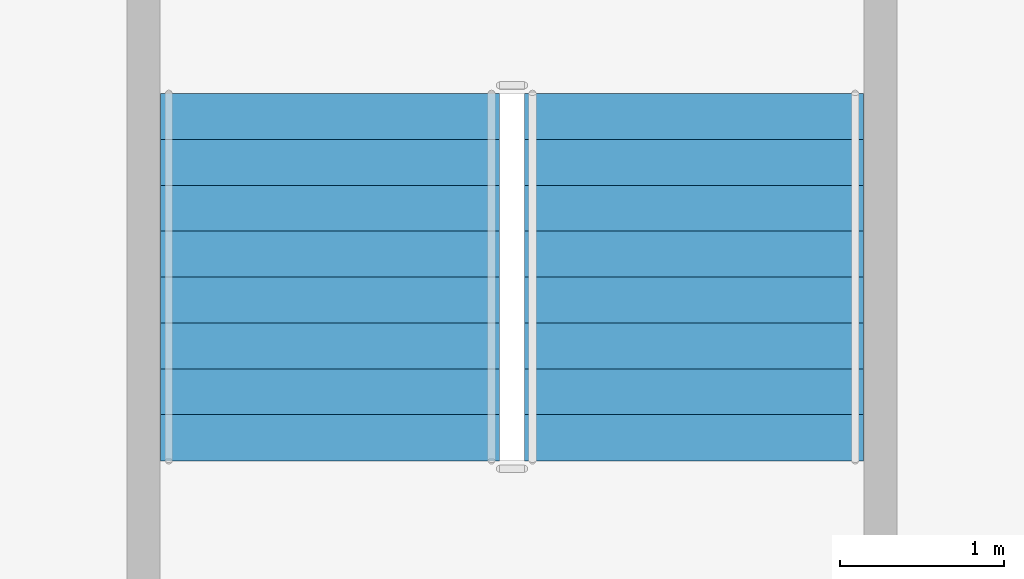
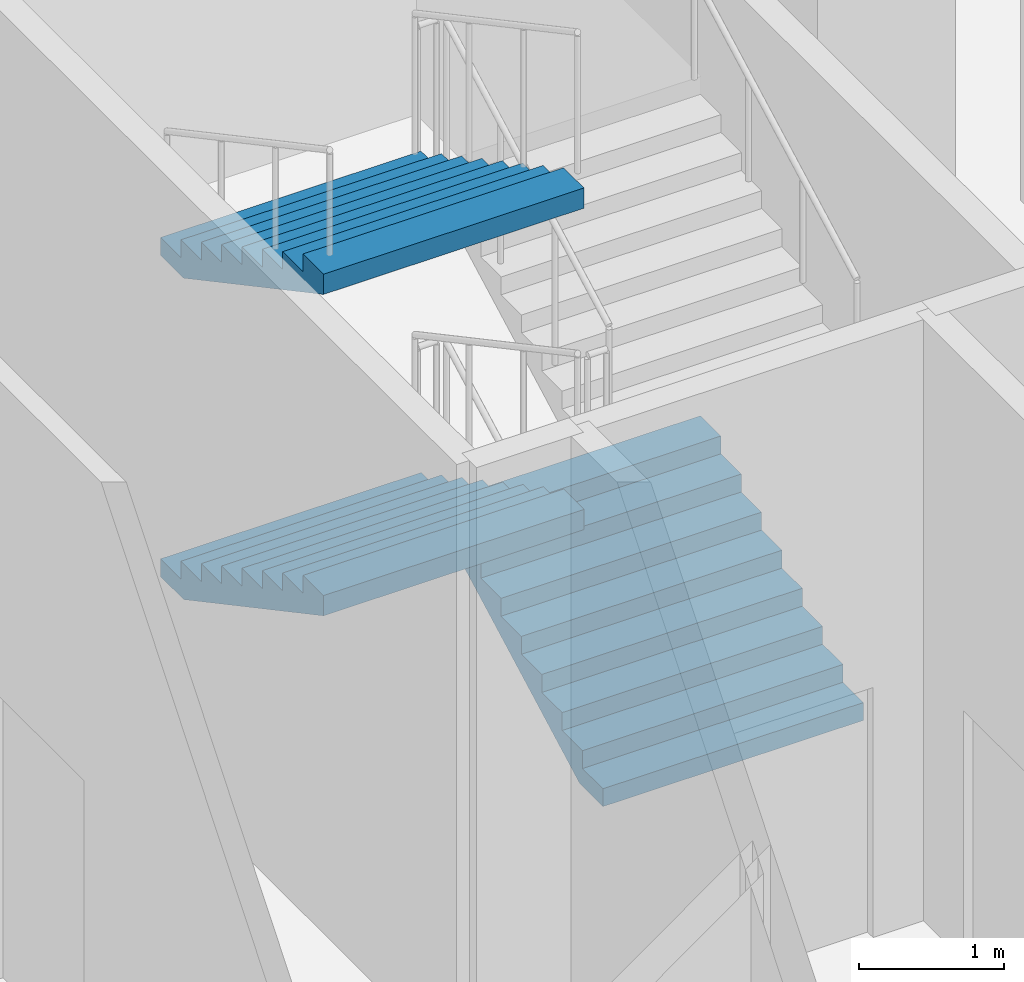
# One storey, part 9 of 26: 3 stair flights, 1 element without a shape of its own.
"""IFC4 building model written with IfcOpenShell, lengths in metres."""

from ifc_helpers import new_model, si_unit, direction, frame, origin, place, context, subcontext, project, spatial, polygons, material, type_object, element, aggregate, save


model = new_model("IFC4")

# Units and contexts
model_context = context("Model", 3, precision=1e-05, world=origin(), true_north=direction((0.0, 1.0)))
body_context = subcontext(model_context, "Body", "Model", "MODEL_VIEW")
ifc_project = project(units=[si_unit("LENGTHUNIT", "METRE"), si_unit("AREAUNIT", "SQUARE_METRE"), si_unit("VOLUMEUNIT", "CUBIC_METRE"), si_unit("PLANEANGLEUNIT", "RADIAN"), si_unit("MASSUNIT", "GRAM", prefix="KILO")], contexts=[model_context])

# Site, building, storey
site_placement = place(None, origin())
site = spatial("IfcSite", under=ifc_project, at=site_placement, CompositionType="ELEMENT")
building_placement = place(site_placement, origin())
building = spatial("IfcBuilding", under=site, at=building_placement, Name="Caravel Reach Hotel and Residences", CompositionType="ELEMENT")
storey_placement = place(building_placement, frame((0.0, 0.0, 12.0)))
storey = spatial("IfcBuildingStorey", under=building, at=storey_placement, Name="L02", CompositionType="ELEMENT", Elevation=12.0)

# Stair, stair flights
ifc_material_1 = material(Name="Concrete C40", Category="concrete")
stair_type = type_object("IfcStairType", Name="Core stair", PredefinedType="HALF_TURN_STAIR", material=ifc_material_1)
stair_placement = place(storey_placement, origin())
stair = element("IfcStair", 1, at=stair_placement, inside=storey, type_object=stair_type, Name="L02 Exit stair P3", PredefinedType="HALF_TURN_STAIR")
ifc_material_2 = material(Name="Concrete C40", Category="concrete")
stair_flight_type = type_object("IfcStairFlightType", Name="Core stair flight", PredefinedType="STRAIGHT", material=ifc_material_2)
stair_flight_1_placement = place(storey_placement, frame((10.110107421875, 13.68994140625, 0.0), z_axis=(0.0, 0.0, 1.0), x_axis=(0.0, 1.0, 0.0)))
stair_flight_1 = element("IfcStairFlight", 2, at=stair_flight_1_placement, type_object=stair_flight_type, Name="ST-P3 flight 1", NumberOfRisers=9, NumberOfTreads=8, PredefinedType="STRAIGHT", RiserHeight=0.15, TreadLength=0.28, context=body_context, shape_type="Tessellation", body=[
    polygons([(0.3174408016601864, 1.0350341796875, 0.0), (0.3174408016601864, 0.6900227864583333, 0.0), (0.3174408016601864, 0.34501139322916663, 0.0), (0.3174408016601864, 0.0, 0.0), (0.3174408016601864, -0.34501139322916674, 0.0), (0.3174408016601864, -0.6900227864583333, 0.0), (0.3174408016601864, -1.0350341796875, 0.0), (2.241, 1.0350341796875, 1.029942427682043), (2.241, 0.6900227864583333, 1.029942427682043), (2.241, 0.34501139322916663, 1.029942427682043), (2.241, 0.0, 1.029942427682043), (2.241, -0.34501139322916674, 1.029942427682043), (2.241, -0.6900227864583333, 1.029942427682043), (2.241, -1.0350341796875, 1.029942427682043), (2.241, 1.0350341796875, 1.2), (2.241, 0.6900227864583333, 1.2), (2.241, 0.34501139322916663, 1.2), (2.241, 0.0, 1.2), (2.241, -0.34501139322916674, 1.2), (2.241, -0.6900227864583333, 1.2), (2.241, -1.0350341796875, 1.2), (1.9600000000000002, 1.0350341796875, 1.2), (1.9600000000000002, 0.6900227864583333, 1.2), (1.9600000000000002, 0.34501139322916663, 1.2), (1.9600000000000002, 0.0, 1.2), (1.9600000000000002, -0.34501139322916674, 1.2), (1.9600000000000002, -0.6900227864583333, 1.2), (1.9600000000000002, -1.0350341796875, 1.2), (1.9600000000000002, 1.0350341796875, 1.05), (1.9600000000000002, 0.6900227864583333, 1.05), (1.9600000000000002, 0.34501139322916663, 1.05), (1.9600000000000002, 0.0, 1.05), (1.9600000000000002, -0.34501139322916674, 1.05), (1.9600000000000002, -0.6900227864583333, 1.05), (1.9600000000000002, -1.0350341796875, 1.05), (1.6800000000000002, 1.0350341796875, 1.05), (1.6800000000000002, 0.6900227864583333, 1.05), (1.6800000000000002, 0.34501139322916663, 1.05), (1.6800000000000002, 0.0, 1.05), (1.6800000000000002, -0.34501139322916674, 1.05), (1.6800000000000002, -0.6900227864583333, 1.05), (1.6800000000000002, -1.0350341796875, 1.05), (1.6800000000000002, 1.0350341796875, 0.8999999999999999), (1.6800000000000002, 0.6900227864583333, 0.8999999999999999), (1.6800000000000002, 0.34501139322916663, 0.8999999999999999), (1.6800000000000002, 0.0, 0.8999999999999999), (1.6800000000000002, -0.34501139322916674, 0.8999999999999999), (1.6800000000000002, -0.6900227864583333, 0.8999999999999999), (1.6800000000000002, -1.0350341796875, 0.8999999999999999), (1.4000000000000001, 1.0350341796875, 0.8999999999999999), (1.4000000000000001, 0.6900227864583333, 0.8999999999999999), (1.4000000000000001, 0.34501139322916663, 0.8999999999999999), (1.4000000000000001, 0.0, 0.8999999999999999), (1.4000000000000001, -0.34501139322916674, 0.8999999999999999), (1.4000000000000001, -0.6900227864583333, 0.8999999999999999), (1.4000000000000001, -1.0350341796875, 0.8999999999999999), (1.4000000000000001, 1.0350341796875, 0.75), (1.4000000000000001, 0.6900227864583333, 0.75), (1.4000000000000001, 0.34501139322916663, 0.75), (1.4000000000000001, 0.0, 0.75), (1.4000000000000001, -0.34501139322916674, 0.75), (1.4000000000000001, -0.6900227864583333, 0.75), (1.4000000000000001, -1.0350341796875, 0.75), (1.12, 1.0350341796875, 0.75), (1.12, 0.6900227864583333, 0.75), (1.12, 0.34501139322916663, 0.75), (1.12, 0.0, 0.75), (1.12, -0.34501139322916674, 0.75), (1.12, -0.6900227864583333, 0.75), (1.12, -1.0350341796875, 0.75), (1.12, 1.0350341796875, 0.6), (1.12, 0.6900227864583333, 0.6), (1.12, 0.34501139322916663, 0.6), (1.12, 0.0, 0.6), (1.12, -0.34501139322916674, 0.6), (1.12, -0.6900227864583333, 0.6), (1.12, -1.0350341796875, 0.6), (0.8400000000000001, 1.0350341796875, 0.6), (0.8400000000000001, 0.6900227864583333, 0.6), (0.8400000000000001, 0.34501139322916663, 0.6), (0.8400000000000001, 0.0, 0.6), (0.8400000000000001, -0.34501139322916674, 0.6), (0.8400000000000001, -0.6900227864583333, 0.6), (0.8400000000000001, -1.0350341796875, 0.6), (0.8400000000000001, 1.0350341796875, 0.44999999999999996), (0.8400000000000001, 0.6900227864583333, 0.44999999999999996), (0.8400000000000001, 0.34501139322916663, 0.44999999999999996), (0.8400000000000001, 0.0, 0.44999999999999996), (0.8400000000000001, -0.34501139322916674, 0.44999999999999996), (0.8400000000000001, -0.6900227864583333, 0.44999999999999996), (0.8400000000000001, -1.0350341796875, 0.44999999999999996), (0.56, 1.0350341796875, 0.44999999999999996), (0.56, 0.6900227864583333, 0.44999999999999996), (0.56, 0.34501139322916663, 0.44999999999999996), (0.56, 0.0, 0.44999999999999996), (0.56, -0.34501139322916674, 0.44999999999999996), (0.56, -0.6900227864583333, 0.44999999999999996), (0.56, -1.0350341796875, 0.44999999999999996), (0.56, 1.0350341796875, 0.3), (0.56, 0.6900227864583333, 0.3), (0.56, 0.34501139322916663, 0.3), (0.56, 0.0, 0.3), (0.56, -0.34501139322916674, 0.3), (0.56, -0.6900227864583333, 0.3), (0.56, -1.0350341796875, 0.3), (0.28, 1.0350341796875, 0.3), (0.28, 0.6900227864583333, 0.3), (0.28, 0.34501139322916663, 0.3), (0.28, 0.0, 0.3), (0.28, -0.34501139322916674, 0.3), (0.28, -0.6900227864583333, 0.3), (0.28, -1.0350341796875, 0.3), (0.28, 1.0350341796875, 0.15), (0.28, 0.6900227864583333, 0.15), (0.28, 0.34501139322916663, 0.15), (0.28, 0.0, 0.15), (0.28, -0.34501139322916674, 0.15), (0.28, -0.6900227864583333, 0.15), (0.28, -1.0350341796875, 0.15), (-0.001, 1.0350341796875, 0.15), (-0.001, 0.6900227864583333, 0.15), (-0.001, 0.34501139322916663, 0.15), (-0.001, 0.0, 0.15), (-0.001, -0.34501139322916674, 0.15), (-0.001, -0.6900227864583333, 0.15), (-0.001, -1.0350341796875, 0.15), (-0.001, 1.0350341796875, 0.0), (-0.001, 0.6900227864583333, 0.0), (-0.001, 0.34501139322916663, 0.0), (-0.001, 0.0, 0.0), (-0.001, -0.34501139322916674, 0.0), (-0.001, -0.6900227864583333, 0.0), (-0.001, -1.0350341796875, 0.0)], [[[127, 120, 113, 106, 99, 92, 85, 78, 71, 64, 57, 50, 43, 36, 29, 22, 15, 8, 1]], [[7, 14, 21, 28, 35, 42, 49, 56, 63, 70, 77, 84, 91, 98, 105, 112, 119, 126, 133]], [[1, 8, 9, 2]], [[2, 9, 10, 3]], [[3, 10, 11, 4]], [[4, 11, 12, 5]], [[5, 12, 13, 6]], [[6, 13, 14, 7]], [[8, 15, 16, 9]], [[9, 16, 17, 10]], [[10, 17, 18, 11]], [[11, 18, 19, 12]], [[12, 19, 20, 13]], [[13, 20, 21, 14]], [[15, 22, 23, 16]], [[16, 23, 24, 17]], [[17, 24, 25, 18]], [[18, 25, 26, 19]], [[19, 26, 27, 20]], [[20, 27, 28, 21]], [[22, 29, 30, 23]], [[23, 30, 31, 24]], [[24, 31, 32, 25]], [[25, 32, 33, 26]], [[26, 33, 34, 27]], [[27, 34, 35, 28]], [[29, 36, 37, 30]], [[30, 37, 38, 31]], [[31, 38, 39, 32]], [[32, 39, 40, 33]], [[33, 40, 41, 34]], [[34, 41, 42, 35]], [[36, 43, 44, 37]], [[37, 44, 45, 38]], [[38, 45, 46, 39]], [[39, 46, 47, 40]], [[40, 47, 48, 41]], [[41, 48, 49, 42]], [[43, 50, 51, 44]], [[44, 51, 52, 45]], [[45, 52, 53, 46]], [[46, 53, 54, 47]], [[47, 54, 55, 48]], [[48, 55, 56, 49]], [[50, 57, 58, 51]], [[51, 58, 59, 52]], [[52, 59, 60, 53]], [[53, 60, 61, 54]], [[54, 61, 62, 55]], [[55, 62, 63, 56]], [[57, 64, 65, 58]], [[58, 65, 66, 59]], [[59, 66, 67, 60]], [[60, 67, 68, 61]], [[61, 68, 69, 62]], [[62, 69, 70, 63]], [[64, 71, 72, 65]], [[65, 72, 73, 66]], [[66, 73, 74, 67]], [[67, 74, 75, 68]], [[68, 75, 76, 69]], [[69, 76, 77, 70]], [[71, 78, 79, 72]], [[72, 79, 80, 73]], [[73, 80, 81, 74]], [[74, 81, 82, 75]], [[75, 82, 83, 76]], [[76, 83, 84, 77]], [[78, 85, 86, 79]], [[79, 86, 87, 80]], [[80, 87, 88, 81]], [[81, 88, 89, 82]], [[82, 89, 90, 83]], [[83, 90, 91, 84]], [[85, 92, 93, 86]], [[86, 93, 94, 87]], [[87, 94, 95, 88]], [[88, 95, 96, 89]], [[89, 96, 97, 90]], [[90, 97, 98, 91]], [[92, 99, 100, 93]], [[93, 100, 101, 94]], [[94, 101, 102, 95]], [[95, 102, 103, 96]], [[96, 103, 104, 97]], [[97, 104, 105, 98]], [[99, 106, 107, 100]], [[100, 107, 108, 101]], [[101, 108, 109, 102]], [[102, 109, 110, 103]], [[103, 110, 111, 104]], [[104, 111, 112, 105]], [[106, 113, 114, 107]], [[107, 114, 115, 108]], [[108, 115, 116, 109]], [[109, 116, 117, 110]], [[110, 117, 118, 111]], [[111, 118, 119, 112]], [[113, 120, 121, 114]], [[114, 121, 122, 115]], [[115, 122, 123, 116]], [[116, 123, 124, 117]], [[117, 124, 125, 118]], [[118, 125, 126, 119]], [[120, 127, 128, 121]], [[121, 128, 129, 122]], [[122, 129, 130, 123]], [[123, 130, 131, 124]], [[124, 131, 132, 125]], [[125, 132, 133, 126]], [[127, 1, 2, 128]], [[128, 2, 3, 129]], [[129, 3, 4, 130]], [[130, 4, 5, 131]], [[131, 5, 6, 132]], [[132, 6, 7, 133]]], closed=True),
])
stair_flight_2_placement = place(storey_placement, frame((7.889892578125, 15.929931640625, 1.35009765625), z_axis=(0.0, 0.0, 1.0), x_axis=(0.0, -1.0, 0.0)))
stair_flight_2 = element("IfcStairFlight", 3, at=stair_flight_2_placement, type_object=stair_flight_type, Name="ST-P3 flight 2", NumberOfRisers=9, NumberOfTreads=8, PredefinedType="STRAIGHT", RiserHeight=0.15, TreadLength=0.28, context=body_context, shape_type="Tessellation", body=[
    polygons([(0.3174408016601864, 1.0350341796875, 0.0), (0.3174408016601864, 0.6900227864583333, 0.0), (0.3174408016601864, 0.34501139322916663, 0.0), (0.3174408016601864, 0.0, 0.0), (0.3174408016601864, -0.34501139322916674, 0.0), (0.3174408016601864, -0.6900227864583333, 0.0), (0.3174408016601864, -1.0350341796875, 0.0), (2.241, 1.0350341796875, 1.029942427682043), (2.241, 0.6900227864583333, 1.029942427682043), (2.241, 0.34501139322916663, 1.029942427682043), (2.241, 0.0, 1.029942427682043), (2.241, -0.34501139322916674, 1.029942427682043), (2.241, -0.6900227864583333, 1.029942427682043), (2.241, -1.0350341796875, 1.029942427682043), (2.241, 1.0350341796875, 1.2), (2.241, 0.6900227864583333, 1.2), (2.241, 0.34501139322916663, 1.2), (2.241, 0.0, 1.2), (2.241, -0.34501139322916674, 1.2), (2.241, -0.6900227864583333, 1.2), (2.241, -1.0350341796875, 1.2), (1.9600000000000002, 1.0350341796875, 1.2), (1.9600000000000002, 0.6900227864583333, 1.2), (1.9600000000000002, 0.34501139322916663, 1.2), (1.9600000000000002, 0.0, 1.2), (1.9600000000000002, -0.34501139322916674, 1.2), (1.9600000000000002, -0.6900227864583333, 1.2), (1.9600000000000002, -1.0350341796875, 1.2), (1.9600000000000002, 1.0350341796875, 1.05), (1.9600000000000002, 0.6900227864583333, 1.05), (1.9600000000000002, 0.34501139322916663, 1.05), (1.9600000000000002, 0.0, 1.05), (1.9600000000000002, -0.34501139322916674, 1.05), (1.9600000000000002, -0.6900227864583333, 1.05), (1.9600000000000002, -1.0350341796875, 1.05), (1.6800000000000002, 1.0350341796875, 1.05), (1.6800000000000002, 0.6900227864583333, 1.05), (1.6800000000000002, 0.34501139322916663, 1.05), (1.6800000000000002, 0.0, 1.05), (1.6800000000000002, -0.34501139322916674, 1.05), (1.6800000000000002, -0.6900227864583333, 1.05), (1.6800000000000002, -1.0350341796875, 1.05), (1.6800000000000002, 1.0350341796875, 0.8999999999999999), (1.6800000000000002, 0.6900227864583333, 0.8999999999999999), (1.6800000000000002, 0.34501139322916663, 0.8999999999999999), (1.6800000000000002, 0.0, 0.8999999999999999), (1.6800000000000002, -0.34501139322916674, 0.8999999999999999), (1.6800000000000002, -0.6900227864583333, 0.8999999999999999), (1.6800000000000002, -1.0350341796875, 0.8999999999999999), (1.4000000000000001, 1.0350341796875, 0.8999999999999999), (1.4000000000000001, 0.6900227864583333, 0.8999999999999999), (1.4000000000000001, 0.34501139322916663, 0.8999999999999999), (1.4000000000000001, 0.0, 0.8999999999999999), (1.4000000000000001, -0.34501139322916674, 0.8999999999999999), (1.4000000000000001, -0.6900227864583333, 0.8999999999999999), (1.4000000000000001, -1.0350341796875, 0.8999999999999999), (1.4000000000000001, 1.0350341796875, 0.75), (1.4000000000000001, 0.6900227864583333, 0.75), (1.4000000000000001, 0.34501139322916663, 0.75), (1.4000000000000001, 0.0, 0.75), (1.4000000000000001, -0.34501139322916674, 0.75), (1.4000000000000001, -0.6900227864583333, 0.75), (1.4000000000000001, -1.0350341796875, 0.75), (1.12, 1.0350341796875, 0.75), (1.12, 0.6900227864583333, 0.75), (1.12, 0.34501139322916663, 0.75), (1.12, 0.0, 0.75), (1.12, -0.34501139322916674, 0.75), (1.12, -0.6900227864583333, 0.75), (1.12, -1.0350341796875, 0.75), (1.12, 1.0350341796875, 0.6), (1.12, 0.6900227864583333, 0.6), (1.12, 0.34501139322916663, 0.6), (1.12, 0.0, 0.6), (1.12, -0.34501139322916674, 0.6), (1.12, -0.6900227864583333, 0.6), (1.12, -1.0350341796875, 0.6), (0.8400000000000001, 1.0350341796875, 0.6), (0.8400000000000001, 0.6900227864583333, 0.6), (0.8400000000000001, 0.34501139322916663, 0.6), (0.8400000000000001, 0.0, 0.6), (0.8400000000000001, -0.34501139322916674, 0.6), (0.8400000000000001, -0.6900227864583333, 0.6), (0.8400000000000001, -1.0350341796875, 0.6), (0.8400000000000001, 1.0350341796875, 0.44999999999999996), (0.8400000000000001, 0.6900227864583333, 0.44999999999999996), (0.8400000000000001, 0.34501139322916663, 0.44999999999999996), (0.8400000000000001, 0.0, 0.44999999999999996), (0.8400000000000001, -0.34501139322916674, 0.44999999999999996), (0.8400000000000001, -0.6900227864583333, 0.44999999999999996), (0.8400000000000001, -1.0350341796875, 0.44999999999999996), (0.56, 1.0350341796875, 0.44999999999999996), (0.56, 0.6900227864583333, 0.44999999999999996), (0.56, 0.34501139322916663, 0.44999999999999996), (0.56, 0.0, 0.44999999999999996), (0.56, -0.34501139322916674, 0.44999999999999996), (0.56, -0.6900227864583333, 0.44999999999999996), (0.56, -1.0350341796875, 0.44999999999999996), (0.56, 1.0350341796875, 0.3), (0.56, 0.6900227864583333, 0.3), (0.56, 0.34501139322916663, 0.3), (0.56, 0.0, 0.3), (0.56, -0.34501139322916674, 0.3), (0.56, -0.6900227864583333, 0.3), (0.56, -1.0350341796875, 0.3), (0.28, 1.0350341796875, 0.3), (0.28, 0.6900227864583333, 0.3), (0.28, 0.34501139322916663, 0.3), (0.28, 0.0, 0.3), (0.28, -0.34501139322916674, 0.3), (0.28, -0.6900227864583333, 0.3), (0.28, -1.0350341796875, 0.3), (0.28, 1.0350341796875, 0.15), (0.28, 0.6900227864583333, 0.15), (0.28, 0.34501139322916663, 0.15), (0.28, 0.0, 0.15), (0.28, -0.34501139322916674, 0.15), (0.28, -0.6900227864583333, 0.15), (0.28, -1.0350341796875, 0.15), (-0.001, 1.0350341796875, 0.15), (-0.001, 0.6900227864583333, 0.15), (-0.001, 0.34501139322916663, 0.15), (-0.001, 0.0, 0.15), (-0.001, -0.34501139322916674, 0.15), (-0.001, -0.6900227864583333, 0.15), (-0.001, -1.0350341796875, 0.15), (-0.001, 1.0350341796875, 0.0), (-0.001, 0.6900227864583333, 0.0), (-0.001, 0.34501139322916663, 0.0), (-0.001, 0.0, 0.0), (-0.001, -0.34501139322916674, 0.0), (-0.001, -0.6900227864583333, 0.0), (-0.001, -1.0350341796875, 0.0)], [[[127, 120, 113, 106, 99, 92, 85, 78, 71, 64, 57, 50, 43, 36, 29, 22, 15, 8, 1]], [[7, 14, 21, 28, 35, 42, 49, 56, 63, 70, 77, 84, 91, 98, 105, 112, 119, 126, 133]], [[1, 8, 9, 2]], [[2, 9, 10, 3]], [[3, 10, 11, 4]], [[4, 11, 12, 5]], [[5, 12, 13, 6]], [[6, 13, 14, 7]], [[8, 15, 16, 9]], [[9, 16, 17, 10]], [[10, 17, 18, 11]], [[11, 18, 19, 12]], [[12, 19, 20, 13]], [[13, 20, 21, 14]], [[15, 22, 23, 16]], [[16, 23, 24, 17]], [[17, 24, 25, 18]], [[18, 25, 26, 19]], [[19, 26, 27, 20]], [[20, 27, 28, 21]], [[22, 29, 30, 23]], [[23, 30, 31, 24]], [[24, 31, 32, 25]], [[25, 32, 33, 26]], [[26, 33, 34, 27]], [[27, 34, 35, 28]], [[29, 36, 37, 30]], [[30, 37, 38, 31]], [[31, 38, 39, 32]], [[32, 39, 40, 33]], [[33, 40, 41, 34]], [[34, 41, 42, 35]], [[36, 43, 44, 37]], [[37, 44, 45, 38]], [[38, 45, 46, 39]], [[39, 46, 47, 40]], [[40, 47, 48, 41]], [[41, 48, 49, 42]], [[43, 50, 51, 44]], [[44, 51, 52, 45]], [[45, 52, 53, 46]], [[46, 53, 54, 47]], [[47, 54, 55, 48]], [[48, 55, 56, 49]], [[50, 57, 58, 51]], [[51, 58, 59, 52]], [[52, 59, 60, 53]], [[53, 60, 61, 54]], [[54, 61, 62, 55]], [[55, 62, 63, 56]], [[57, 64, 65, 58]], [[58, 65, 66, 59]], [[59, 66, 67, 60]], [[60, 67, 68, 61]], [[61, 68, 69, 62]], [[62, 69, 70, 63]], [[64, 71, 72, 65]], [[65, 72, 73, 66]], [[66, 73, 74, 67]], [[67, 74, 75, 68]], [[68, 75, 76, 69]], [[69, 76, 77, 70]], [[71, 78, 79, 72]], [[72, 79, 80, 73]], [[73, 80, 81, 74]], [[74, 81, 82, 75]], [[75, 82, 83, 76]], [[76, 83, 84, 77]], [[78, 85, 86, 79]], [[79, 86, 87, 80]], [[80, 87, 88, 81]], [[81, 88, 89, 82]], [[82, 89, 90, 83]], [[83, 90, 91, 84]], [[85, 92, 93, 86]], [[86, 93, 94, 87]], [[87, 94, 95, 88]], [[88, 95, 96, 89]], [[89, 96, 97, 90]], [[90, 97, 98, 91]], [[92, 99, 100, 93]], [[93, 100, 101, 94]], [[94, 101, 102, 95]], [[95, 102, 103, 96]], [[96, 103, 104, 97]], [[97, 104, 105, 98]], [[99, 106, 107, 100]], [[100, 107, 108, 101]], [[101, 108, 109, 102]], [[102, 109, 110, 103]], [[103, 110, 111, 104]], [[104, 111, 112, 105]], [[106, 113, 114, 107]], [[107, 114, 115, 108]], [[108, 115, 116, 109]], [[109, 116, 117, 110]], [[110, 117, 118, 111]], [[111, 118, 119, 112]], [[113, 120, 121, 114]], [[114, 121, 122, 115]], [[115, 122, 123, 116]], [[116, 123, 124, 117]], [[117, 124, 125, 118]], [[118, 125, 126, 119]], [[120, 127, 128, 121]], [[121, 128, 129, 122]], [[122, 129, 130, 123]], [[123, 130, 131, 124]], [[124, 131, 132, 125]], [[125, 132, 133, 126]], [[127, 1, 2, 128]], [[128, 2, 3, 129]], [[129, 3, 4, 130]], [[130, 4, 5, 131]], [[131, 5, 6, 132]], [[132, 6, 7, 133]]], closed=True),
])
stair_flight_3_placement = place(storey_placement, frame((7.889892578125, 15.929931640625, 4.050048828125), z_axis=(0.0, 0.0, 1.0), x_axis=(0.0, -1.0, 0.0)))
stair_flight_3 = element("IfcStairFlight", 4, at=stair_flight_3_placement, type_object=stair_flight_type, Name="ST-P3 flight 4", NumberOfRisers=9, NumberOfTreads=8, PredefinedType="STRAIGHT", RiserHeight=0.15, TreadLength=0.28, context=body_context, shape_type="Tessellation", body=[
    polygons([(0.3174408016601864, 1.0350341796875, 0.0), (0.3174408016601864, 0.6900227864583333, 0.0), (0.3174408016601864, 0.34501139322916663, 0.0), (0.3174408016601864, 0.0, 0.0), (0.3174408016601864, -0.34501139322916674, 0.0), (0.3174408016601864, -0.6900227864583333, 0.0), (0.3174408016601864, -1.0350341796875, 0.0), (2.241, 1.0350341796875, 1.029942427682043), (2.241, 0.6900227864583333, 1.029942427682043), (2.241, 0.34501139322916663, 1.029942427682043), (2.241, 0.0, 1.029942427682043), (2.241, -0.34501139322916674, 1.029942427682043), (2.241, -0.6900227864583333, 1.029942427682043), (2.241, -1.0350341796875, 1.029942427682043), (2.241, 1.0350341796875, 1.2), (2.241, 0.6900227864583333, 1.2), (2.241, 0.34501139322916663, 1.2), (2.241, 0.0, 1.2), (2.241, -0.34501139322916674, 1.2), (2.241, -0.6900227864583333, 1.2), (2.241, -1.0350341796875, 1.2), (1.9600000000000002, 1.0350341796875, 1.2), (1.9600000000000002, 0.6900227864583333, 1.2), (1.9600000000000002, 0.34501139322916663, 1.2), (1.9600000000000002, 0.0, 1.2), (1.9600000000000002, -0.34501139322916674, 1.2), (1.9600000000000002, -0.6900227864583333, 1.2), (1.9600000000000002, -1.0350341796875, 1.2), (1.9600000000000002, 1.0350341796875, 1.05), (1.9600000000000002, 0.6900227864583333, 1.05), (1.9600000000000002, 0.34501139322916663, 1.05), (1.9600000000000002, 0.0, 1.05), (1.9600000000000002, -0.34501139322916674, 1.05), (1.9600000000000002, -0.6900227864583333, 1.05), (1.9600000000000002, -1.0350341796875, 1.05), (1.6800000000000002, 1.0350341796875, 1.05), (1.6800000000000002, 0.6900227864583333, 1.05), (1.6800000000000002, 0.34501139322916663, 1.05), (1.6800000000000002, 0.0, 1.05), (1.6800000000000002, -0.34501139322916674, 1.05), (1.6800000000000002, -0.6900227864583333, 1.05), (1.6800000000000002, -1.0350341796875, 1.05), (1.6800000000000002, 1.0350341796875, 0.8999999999999999), (1.6800000000000002, 0.6900227864583333, 0.8999999999999999), (1.6800000000000002, 0.34501139322916663, 0.8999999999999999), (1.6800000000000002, 0.0, 0.8999999999999999), (1.6800000000000002, -0.34501139322916674, 0.8999999999999999), (1.6800000000000002, -0.6900227864583333, 0.8999999999999999), (1.6800000000000002, -1.0350341796875, 0.8999999999999999), (1.4000000000000001, 1.0350341796875, 0.8999999999999999), (1.4000000000000001, 0.6900227864583333, 0.8999999999999999), (1.4000000000000001, 0.34501139322916663, 0.8999999999999999), (1.4000000000000001, 0.0, 0.8999999999999999), (1.4000000000000001, -0.34501139322916674, 0.8999999999999999), (1.4000000000000001, -0.6900227864583333, 0.8999999999999999), (1.4000000000000001, -1.0350341796875, 0.8999999999999999), (1.4000000000000001, 1.0350341796875, 0.75), (1.4000000000000001, 0.6900227864583333, 0.75), (1.4000000000000001, 0.34501139322916663, 0.75), (1.4000000000000001, 0.0, 0.75), (1.4000000000000001, -0.34501139322916674, 0.75), (1.4000000000000001, -0.6900227864583333, 0.75), (1.4000000000000001, -1.0350341796875, 0.75), (1.12, 1.0350341796875, 0.75), (1.12, 0.6900227864583333, 0.75), (1.12, 0.34501139322916663, 0.75), (1.12, 0.0, 0.75), (1.12, -0.34501139322916674, 0.75), (1.12, -0.6900227864583333, 0.75), (1.12, -1.0350341796875, 0.75), (1.12, 1.0350341796875, 0.6), (1.12, 0.6900227864583333, 0.6), (1.12, 0.34501139322916663, 0.6), (1.12, 0.0, 0.6), (1.12, -0.34501139322916674, 0.6), (1.12, -0.6900227864583333, 0.6), (1.12, -1.0350341796875, 0.6), (0.8400000000000001, 1.0350341796875, 0.6), (0.8400000000000001, 0.6900227864583333, 0.6), (0.8400000000000001, 0.34501139322916663, 0.6), (0.8400000000000001, 0.0, 0.6), (0.8400000000000001, -0.34501139322916674, 0.6), (0.8400000000000001, -0.6900227864583333, 0.6), (0.8400000000000001, -1.0350341796875, 0.6), (0.8400000000000001, 1.0350341796875, 0.44999999999999996), (0.8400000000000001, 0.6900227864583333, 0.44999999999999996), (0.8400000000000001, 0.34501139322916663, 0.44999999999999996), (0.8400000000000001, 0.0, 0.44999999999999996), (0.8400000000000001, -0.34501139322916674, 0.44999999999999996), (0.8400000000000001, -0.6900227864583333, 0.44999999999999996), (0.8400000000000001, -1.0350341796875, 0.44999999999999996), (0.56, 1.0350341796875, 0.44999999999999996), (0.56, 0.6900227864583333, 0.44999999999999996), (0.56, 0.34501139322916663, 0.44999999999999996), (0.56, 0.0, 0.44999999999999996), (0.56, -0.34501139322916674, 0.44999999999999996), (0.56, -0.6900227864583333, 0.44999999999999996), (0.56, -1.0350341796875, 0.44999999999999996), (0.56, 1.0350341796875, 0.3), (0.56, 0.6900227864583333, 0.3), (0.56, 0.34501139322916663, 0.3), (0.56, 0.0, 0.3), (0.56, -0.34501139322916674, 0.3), (0.56, -0.6900227864583333, 0.3), (0.56, -1.0350341796875, 0.3), (0.28, 1.0350341796875, 0.3), (0.28, 0.6900227864583333, 0.3), (0.28, 0.34501139322916663, 0.3), (0.28, 0.0, 0.3), (0.28, -0.34501139322916674, 0.3), (0.28, -0.6900227864583333, 0.3), (0.28, -1.0350341796875, 0.3), (0.28, 1.0350341796875, 0.15), (0.28, 0.6900227864583333, 0.15), (0.28, 0.34501139322916663, 0.15), (0.28, 0.0, 0.15), (0.28, -0.34501139322916674, 0.15), (0.28, -0.6900227864583333, 0.15), (0.28, -1.0350341796875, 0.15), (-0.001, 1.0350341796875, 0.15), (-0.001, 0.6900227864583333, 0.15), (-0.001, 0.34501139322916663, 0.15), (-0.001, 0.0, 0.15), (-0.001, -0.34501139322916674, 0.15), (-0.001, -0.6900227864583333, 0.15), (-0.001, -1.0350341796875, 0.15), (-0.001, 1.0350341796875, 0.0), (-0.001, 0.6900227864583333, 0.0), (-0.001, 0.34501139322916663, 0.0), (-0.001, 0.0, 0.0), (-0.001, -0.34501139322916674, 0.0), (-0.001, -0.6900227864583333, 0.0), (-0.001, -1.0350341796875, 0.0)], [[[127, 120, 113, 106, 99, 92, 85, 78, 71, 64, 57, 50, 43, 36, 29, 22, 15, 8, 1]], [[7, 14, 21, 28, 35, 42, 49, 56, 63, 70, 77, 84, 91, 98, 105, 112, 119, 126, 133]], [[1, 8, 9, 2]], [[2, 9, 10, 3]], [[3, 10, 11, 4]], [[4, 11, 12, 5]], [[5, 12, 13, 6]], [[6, 13, 14, 7]], [[8, 15, 16, 9]], [[9, 16, 17, 10]], [[10, 17, 18, 11]], [[11, 18, 19, 12]], [[12, 19, 20, 13]], [[13, 20, 21, 14]], [[15, 22, 23, 16]], [[16, 23, 24, 17]], [[17, 24, 25, 18]], [[18, 25, 26, 19]], [[19, 26, 27, 20]], [[20, 27, 28, 21]], [[22, 29, 30, 23]], [[23, 30, 31, 24]], [[24, 31, 32, 25]], [[25, 32, 33, 26]], [[26, 33, 34, 27]], [[27, 34, 35, 28]], [[29, 36, 37, 30]], [[30, 37, 38, 31]], [[31, 38, 39, 32]], [[32, 39, 40, 33]], [[33, 40, 41, 34]], [[34, 41, 42, 35]], [[36, 43, 44, 37]], [[37, 44, 45, 38]], [[38, 45, 46, 39]], [[39, 46, 47, 40]], [[40, 47, 48, 41]], [[41, 48, 49, 42]], [[43, 50, 51, 44]], [[44, 51, 52, 45]], [[45, 52, 53, 46]], [[46, 53, 54, 47]], [[47, 54, 55, 48]], [[48, 55, 56, 49]], [[50, 57, 58, 51]], [[51, 58, 59, 52]], [[52, 59, 60, 53]], [[53, 60, 61, 54]], [[54, 61, 62, 55]], [[55, 62, 63, 56]], [[57, 64, 65, 58]], [[58, 65, 66, 59]], [[59, 66, 67, 60]], [[60, 67, 68, 61]], [[61, 68, 69, 62]], [[62, 69, 70, 63]], [[64, 71, 72, 65]], [[65, 72, 73, 66]], [[66, 73, 74, 67]], [[67, 74, 75, 68]], [[68, 75, 76, 69]], [[69, 76, 77, 70]], [[71, 78, 79, 72]], [[72, 79, 80, 73]], [[73, 80, 81, 74]], [[74, 81, 82, 75]], [[75, 82, 83, 76]], [[76, 83, 84, 77]], [[78, 85, 86, 79]], [[79, 86, 87, 80]], [[80, 87, 88, 81]], [[81, 88, 89, 82]], [[82, 89, 90, 83]], [[83, 90, 91, 84]], [[85, 92, 93, 86]], [[86, 93, 94, 87]], [[87, 94, 95, 88]], [[88, 95, 96, 89]], [[89, 96, 97, 90]], [[90, 97, 98, 91]], [[92, 99, 100, 93]], [[93, 100, 101, 94]], [[94, 101, 102, 95]], [[95, 102, 103, 96]], [[96, 103, 104, 97]], [[97, 104, 105, 98]], [[99, 106, 107, 100]], [[100, 107, 108, 101]], [[101, 108, 109, 102]], [[102, 109, 110, 103]], [[103, 110, 111, 104]], [[104, 111, 112, 105]], [[106, 113, 114, 107]], [[107, 114, 115, 108]], [[108, 115, 116, 109]], [[109, 116, 117, 110]], [[110, 117, 118, 111]], [[111, 118, 119, 112]], [[113, 120, 121, 114]], [[114, 121, 122, 115]], [[115, 122, 123, 116]], [[116, 123, 124, 117]], [[117, 124, 125, 118]], [[118, 125, 126, 119]], [[120, 127, 128, 121]], [[121, 128, 129, 122]], [[122, 129, 130, 123]], [[123, 130, 131, 124]], [[124, 131, 132, 125]], [[125, 132, 133, 126]], [[127, 1, 2, 128]], [[128, 2, 3, 129]], [[129, 3, 4, 130]], [[130, 4, 5, 131]], [[131, 5, 6, 132]], [[132, 6, 7, 133]]], closed=True),
])
aggregate(stair, [stair_flight_1, stair_flight_2, stair_flight_3])

save(model, "model.ifc")
